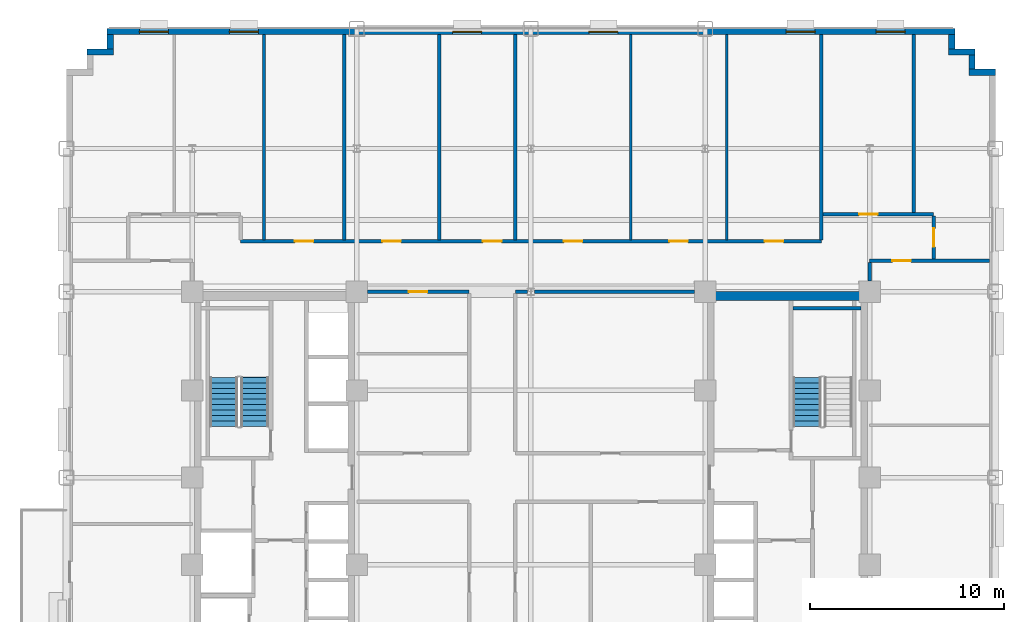
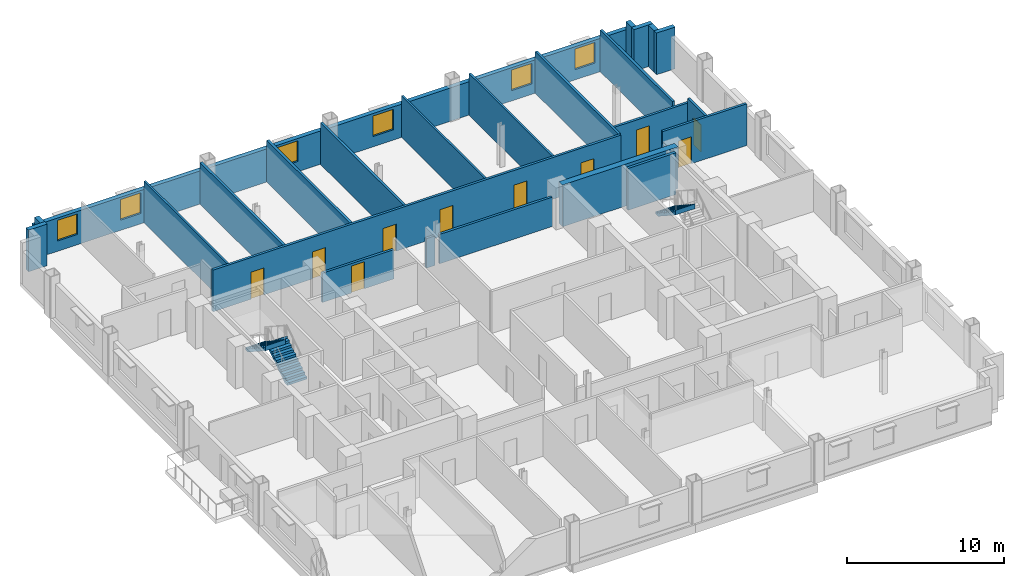
# One storey, part 9 of 14: 25 walls, 10 doors, 6 windows, 3 stair flights, 16 openings, 2 elements without a shape of their own.
"""IFC4 building model written with IfcOpenShell, lengths in metres."""

from ifc_helpers import new_model, si_unit, direction, frame, frame_2d, origin, place, context, subcontext, project, spatial, polyline, rectangle, outline, extrude, source, transform, mapped, material, layer, layer_set, type_object, type_shapes, element, fill, aggregate, save


model = new_model("IFC4")

# Units and contexts
model_context = context("Model", 3, precision=1e-05, world=origin(), true_north=direction((0.0, 1.0)))
body_context = subcontext(model_context, "Body", "Model", "MODEL_VIEW")
ifc_project = project(units=[si_unit("LENGTHUNIT", "METRE"), si_unit("AREAUNIT", "SQUARE_METRE"), si_unit("VOLUMEUNIT", "CUBIC_METRE"), si_unit("PLANEANGLEUNIT", "RADIAN"), si_unit("MASSUNIT", "GRAM", prefix="KILO")], contexts=[model_context])

# Site, building, storey
site_placement = place(None, origin())
site = spatial("IfcSite", under=ifc_project, at=site_placement, CompositionType="ELEMENT")
building_placement = place(site_placement, origin())
building = spatial("IfcBuilding", under=site, at=building_placement, Name="Nuvemarco Arch Tower", CompositionType="ELEMENT")
storey_placement = place(building_placement, frame((0.0, 0.0, 89.64990234375)))
storey = spatial("IfcBuildingStorey", under=building, at=storey_placement, Name="L23", CompositionType="ELEMENT", Elevation=89.64990234375)

# Walls
ifc_material_1 = material(Name="Precast concrete C45/55", Category="concrete")
ifc_layer_1 = layer(ifc_material_1, 0.320068359375, Name="EW-MID-320")
ifc_layer_set_1 = layer_set([ifc_layer_1], Name="Precast concrete C45/55")
wall_type_1 = type_object("IfcWallType", Name="EW-MID-320", PredefinedType="STANDARD", material=ifc_layer_set_1)
wall_1_placement = place(storey_placement, frame((22.6298828125, 20.93994140625, 0.0), z_axis=(0.0, 0.0, 1.0), x_axis=(1.0, 0.0, 0.0)))
element("IfcWall", 1, at=wall_1_placement, inside=storey, type_object=wall_type_1, Name="L23 exterior precast facade wall 7", PredefinedType="STANDARD", context=body_context, shape_type="SweptSolid", body=[
    extrude(rectangle(XDim=1.3701171875, YDim=0.320068359375, at=frame_2d((0.68505859375, 0.0))), origin(), (0.0, 0.0, 1.0), 3.239990234375),
])
wall_2_placement = place(storey_placement, frame((22.7900390625, 21.095947265625, 0.0), z_axis=(0.0, 0.0, 1.0), x_axis=(0.0, 1.0, 0.0)))
element("IfcWall", 2, at=wall_2_placement, inside=storey, type_object=wall_type_1, Name="L23 exterior precast facade wall 8", PredefinedType="STANDARD", context=body_context, shape_type="SweptSolid", body=[
    extrude(rectangle(XDim=0.738037109375, YDim=0.320068359375, at=frame_2d((0.369140625, 0.0))), origin(), (0.0, 0.0, 1.0), 3.239990234375),
])
wall_3_placement = place(storey_placement, frame((21.580078125, 21.989990234375, 0.0), z_axis=(0.0, 0.0, 1.0), x_axis=(1.0, 0.0, 0.0)))
element("IfcWall", 3, at=wall_3_placement, inside=storey, type_object=wall_type_1, Name="L23 exterior precast facade wall 9", PredefinedType="STANDARD", context=body_context, shape_type="SweptSolid", body=[
    extrude(rectangle(XDim=1.369873046875, YDim=0.320068359375, at=frame_2d((0.68505859375, 0.0))), origin(), (0.0, 0.0, 1.0), 3.239990234375),
])
wall_4_placement = place(storey_placement, frame((21.739990234375, 22.14599609375, 0.0), z_axis=(0.0, 0.0, 1.0), x_axis=(0.0, 1.0, 0.0)))
element("IfcWall", 4, at=wall_4_placement, inside=storey, type_object=wall_type_1, Name="L23 exterior precast facade wall 10", PredefinedType="STANDARD", context=body_context, shape_type="SweptSolid", body=[
    extrude(rectangle(XDim=0.738037109375, YDim=0.320068359375, at=frame_2d((0.369140625, 0.0))), origin(), (0.0, 0.0, 1.0), 3.239990234375),
])

# Wall, openings, windows
wall_5_placement = place(storey_placement, frame((-21.89990234375, 23.0400390625, 0.0), z_axis=(0.0, 0.0, 1.0), x_axis=(1.0, 0.0, 0.0)))
wall_5 = element("IfcWall", 5, at=wall_5_placement, inside=storey, type_object=wall_type_1, Name="L23 exterior precast facade wall 11", PredefinedType="STANDARD", context=body_context, shape_type="SweptSolid", body=[
    extrude(rectangle(XDim=43.7998046875, YDim=0.320068359375, at=frame_2d((21.89990234375, 0.0))), origin(), (0.0, 0.0, 1.0), 2.585205078125),
])
opening_1_placement = place(wall_5_placement, frame((1.672119140625, 0.0, 0.800048828125)))
opening_1 = element("IfcOpeningElement", 6, at=opening_1_placement, cuts=wall_5, Name="Opening WN-11", PredefinedType="OPENING", context=body_context, shape_type="SweptSolid", body=[
    extrude(rectangle(XDim=1.5, YDim=1.60009765625, at=frame_2d((0.75, 0.800048828125))), frame((0.0, 0.169921875, 0.0), z_axis=(0.0, -1.0, 0.0), x_axis=(1.0, 0.0, 0.0)), (0.0, 0.0, 1.0), 0.340087890625),
])
opening_2_placement = place(wall_5_placement, frame((6.316650390625, 0.0, 0.800048828125)))
opening_2 = element("IfcOpeningElement", 7, at=opening_2_placement, cuts=wall_5, Name="Opening WN-11", PredefinedType="OPENING", context=body_context, shape_type="SweptSolid", body=[
    extrude(rectangle(XDim=1.5, YDim=1.60009765625, at=frame_2d((0.75, 0.800048828125))), frame((0.0, 0.169921875, 0.0), z_axis=(0.0, -1.0, 0.0), x_axis=(1.0, 0.0, 0.0)), (0.0, 0.0, 1.0), 0.340087890625),
])
opening_3_placement = place(wall_5_placement, frame((17.855712890625, 0.0, 0.800048828125)))
opening_3 = element("IfcOpeningElement", 8, at=opening_3_placement, cuts=wall_5, Name="Opening WN-11", PredefinedType="OPENING", context=body_context, shape_type="SweptSolid", body=[
    extrude(rectangle(XDim=1.5, YDim=1.60009765625, at=frame_2d((0.75, 0.800048828125))), frame((0.0, 0.169921875, 0.0), z_axis=(0.0, -1.0, 0.0), x_axis=(1.0, 0.0, 0.0)), (0.0, 0.0, 1.0), 0.340087890625),
])
opening_4_placement = place(wall_5_placement, frame((24.894287109375, 0.0, 0.800048828125)))
opening_4 = element("IfcOpeningElement", 9, at=opening_4_placement, cuts=wall_5, Name="Opening WN-11", PredefinedType="OPENING", context=body_context, shape_type="SweptSolid", body=[
    extrude(rectangle(XDim=1.5, YDim=1.60009765625, at=frame_2d((0.75, 0.800048828125))), frame((0.0, 0.169921875, 0.0), z_axis=(0.0, -1.0, 0.0), x_axis=(1.0, 0.0, 0.0)), (0.0, 0.0, 1.0), 0.340087890625),
])
opening_5_placement = place(wall_5_placement, frame((35.083251953125, 0.0, 0.800048828125)))
opening_5 = element("IfcOpeningElement", 10, at=opening_5_placement, cuts=wall_5, Name="Opening WN-11", PredefinedType="OPENING", context=body_context, shape_type="SweptSolid", body=[
    extrude(rectangle(XDim=1.5, YDim=1.60009765625, at=frame_2d((0.75, 0.800048828125))), frame((0.0, 0.169921875, 0.0), z_axis=(0.0, -1.0, 0.0), x_axis=(1.0, 0.0, 0.0)), (0.0, 0.0, 1.0), 0.340087890625),
])
opening_6_placement = place(wall_5_placement, frame((39.727783203125, 0.0, 0.800048828125)))
opening_6 = element("IfcOpeningElement", 11, at=opening_6_placement, cuts=wall_5, Name="Opening WN-11", PredefinedType="OPENING", context=body_context, shape_type="SweptSolid", body=[
    extrude(rectangle(XDim=1.5, YDim=1.60009765625, at=frame_2d((0.75, 0.800048828125))), frame((0.0, 0.169921875, 0.0), z_axis=(0.0, -1.0, 0.0), x_axis=(1.0, 0.0, 0.0)), (0.0, 0.0, 1.0), 0.340087890625),
])
ifc_material_2 = material(Name="Insulated solar-control glass", Category="glass")
window_type = type_object("IfcWindowType", Name="WN-STEP-1500x1850", PartitioningType="SINGLE_PANEL", PredefinedType="WINDOW", material=ifc_material_2)
shared_shape_1 = source(origin(), body_context, "Body", "SweptSolid", [
    extrude(rectangle(XDim=1.5, YDim=1.60009765625, at=frame_2d((0.75, 0.800048828125))), frame((0.0, 0.030029296875, 0.0), z_axis=(0.0, -1.0, 0.0), x_axis=(1.0, 0.0, 0.0)), (0.0, 0.0, 1.0), 0.06005859375),
])
type_shapes(window_type, [shared_shape_1])
window_1_placement = place(opening_1_placement, origin())
window_1 = element("IfcWindow", 12, at=window_1_placement, inside=storey, type_object=window_type, Name="L23 punched facade window 1", OverallHeight=1.60009765625, OverallWidth=1.5, PartitioningType="SINGLE_PANEL", PredefinedType="WINDOW", context=body_context, shape_type="MappedRepresentation", body=[
    mapped(shared_shape_1, transform((0.0, 0.0, 0.0), scale=1.0)),
])
fill(opening_1, window_1)
window_2_placement = place(opening_2_placement, origin())
window_2 = element("IfcWindow", 13, at=window_2_placement, inside=storey, type_object=window_type, Name="L23 punched facade window 2", OverallHeight=1.60009765625, OverallWidth=1.5, PartitioningType="SINGLE_PANEL", PredefinedType="WINDOW", context=body_context, shape_type="MappedRepresentation", body=[
    mapped(shared_shape_1, transform((0.0, 0.0, 0.0), scale=1.0)),
])
fill(opening_2, window_2)
window_3_placement = place(opening_3_placement, origin())
window_3 = element("IfcWindow", 14, at=window_3_placement, inside=storey, type_object=window_type, Name="L23 punched facade window 4", OverallHeight=1.60009765625, OverallWidth=1.5, PartitioningType="SINGLE_PANEL", PredefinedType="WINDOW", context=body_context, shape_type="MappedRepresentation", body=[
    mapped(shared_shape_1, transform((0.0, 0.0, 0.0), scale=1.0)),
])
fill(opening_3, window_3)
window_4_placement = place(opening_4_placement, origin())
window_4 = element("IfcWindow", 15, at=window_4_placement, inside=storey, type_object=window_type, Name="L23 punched facade window 6", OverallHeight=1.60009765625, OverallWidth=1.5, PartitioningType="SINGLE_PANEL", PredefinedType="WINDOW", context=body_context, shape_type="MappedRepresentation", body=[
    mapped(shared_shape_1, transform((0.0, 0.0, 0.0), scale=1.0)),
])
fill(opening_4, window_4)
window_5_placement = place(opening_5_placement, origin())
window_5 = element("IfcWindow", 16, at=window_5_placement, inside=storey, type_object=window_type, Name="L23 punched facade window 8", OverallHeight=1.60009765625, OverallWidth=1.5, PartitioningType="SINGLE_PANEL", PredefinedType="WINDOW", context=body_context, shape_type="MappedRepresentation", body=[
    mapped(shared_shape_1, transform((0.0, 0.0, 0.0), scale=1.0)),
])
fill(opening_5, window_5)
window_6_placement = place(opening_6_placement, origin())
window_6 = element("IfcWindow", 17, at=window_6_placement, inside=storey, type_object=window_type, Name="L23 punched facade window 9", OverallHeight=1.60009765625, OverallWidth=1.5, PartitioningType="SINGLE_PANEL", PredefinedType="WINDOW", context=body_context, shape_type="MappedRepresentation", body=[
    mapped(shared_shape_1, transform((0.0, 0.0, 0.0), scale=1.0)),
])
fill(opening_6, window_6)

# Walls
wall_6_placement = place(storey_placement, frame((-21.739990234375, 22.14599609375, 0.0), z_axis=(0.0, 0.0, 1.0), x_axis=(0.0, 1.0, 0.0)))
element("IfcWall", 18, at=wall_6_placement, inside=storey, type_object=wall_type_1, Name="L23 exterior precast facade wall 12", PredefinedType="STANDARD", context=body_context, shape_type="SweptSolid", body=[
    extrude(rectangle(XDim=0.738037109375, YDim=0.320068359375, at=frame_2d((0.369140625, 0.0))), origin(), (0.0, 0.0, 1.0), 3.239990234375),
])
wall_7_placement = place(storey_placement, frame((-22.949951171875, 21.989990234375, 0.0), z_axis=(0.0, 0.0, 1.0), x_axis=(1.0, 0.0, 0.0)))
element("IfcWall", 19, at=wall_7_placement, inside=storey, type_object=wall_type_1, Name="L23 exterior precast facade wall 13", PredefinedType="STANDARD", context=body_context, shape_type="SweptSolid", body=[
    extrude(rectangle(XDim=1.369873046875, YDim=0.320068359375, at=frame_2d((0.68505859375, 0.0))), origin(), (0.0, 0.0, 1.0), 3.239990234375),
])
ifc_material_3 = material(Name="Concrete C60/75", Category="concrete")
ifc_layer_2 = layer(ifc_material_3, 0.449951171875, Name="WL-CORE-450")
ifc_layer_set_2 = layer_set([ifc_layer_2], Name="Concrete C60/75")
wall_type_2 = type_object("IfcWallType", Name="WL-CORE-450", PredefinedType="SHEAR", material=ifc_layer_set_2)
wall_8_placement = place(storey_placement, frame((9.0, 9.375, 0.0), z_axis=(0.0, 0.0, 1.0), x_axis=(1.0, 0.0, 0.0)))
element("IfcWall", 20, at=wall_8_placement, inside=storey, type_object=wall_type_2, Name="L23 E-core shear wall N", PredefinedType="SHEAR", context=body_context, shape_type="SweptSolid", body=[
    extrude(rectangle(XDim=8.5, YDim=0.449951171875, at=frame_2d((4.25, 0.0))), origin(), (0.0, 0.0, 1.0), 3.25),
])

# Wall, opening, door
ifc_material_4 = material(Name="Fire-rated gypsum drywall partition")
ifc_layer_3 = layer(ifc_material_4, 0.179931640625, Name="WL-CORR-180")
ifc_layer_set_3 = layer_set([ifc_layer_3], Name="Fire-rated gypsum drywall partition")
wall_type_3 = type_object("IfcWallType", Name="WL-CORR-180", PredefinedType="PARTITIONING", material=ifc_layer_set_3)
wall_9_placement = place(storey_placement, frame((-8.4541015625, 9.60009765625, 0.0), z_axis=(0.0, 0.0, 1.0), x_axis=(1.0, 0.0, 0.0)))
wall_9 = element("IfcWall", 21, at=wall_9_placement, inside=storey, type_object=wall_type_3, Name="L23 interior wall IW-L23-018", PredefinedType="PARTITIONING", context=body_context, shape_type="SweptSolid", body=[
    extrude(rectangle(XDim=5.254150390625, YDim=0.179931640625, at=frame_2d((2.626953125, 0.0))), origin(), (0.0, 0.0, 1.0), 2.28515625),
])
opening_7_placement = place(wall_9_placement, frame((2.14697265625, 0.0, 0.0)))
opening_7 = element("IfcOpeningElement", 22, at=opening_7_placement, cuts=wall_9, Name="Opening FD-5", PredefinedType="OPENING", context=body_context, shape_type="SweptSolid", body=[
    extrude(rectangle(XDim=0.9599609375, YDim=2.10009765625, at=frame_2d((0.47998046875, 1.050048828125))), frame((0.0, 0.099853515625, 0.0), z_axis=(0.0, -1.0, 0.0), x_axis=(1.0, 0.0, 0.0)), (0.0, 0.0, 1.0), 0.199951171875),
])
ifc_material_5 = material(Name="Timber fire door", Category="wood")
door_type = type_object("IfcDoorType", Name="DR-CORR-FD", OperationType="NOTDEFINED", PredefinedType="DOOR", material=ifc_material_5)
shared_shape_2 = source(origin(), body_context, "Body", "SweptSolid", [
    extrude(rectangle(XDim=0.9599609375, YDim=2.10009765625, at=frame_2d((0.47998046875, 1.050048828125))), frame((0.0, 0.02490234375, 0.0), z_axis=(0.0, -1.0, 0.0), x_axis=(1.0, 0.0, 0.0)), (0.0, 0.0, 1.0), 0.050048828125),
])
type_shapes(door_type, [shared_shape_2])
door_1_placement = place(opening_7_placement, origin())
door_1 = element("IfcDoor", 23, at=door_1_placement, inside=storey, type_object=door_type, Name="L23 door DR-L23-C_NW2", OperationType="SINGLE_SWING_LEFT", OverallHeight=2.10009765625, OverallWidth=0.9599609375, PredefinedType="DOOR", context=body_context, shape_type="MappedRepresentation", body=[
    mapped(shared_shape_2, transform((0.0, 0.0, 0.0), scale=1.0)),
])
fill(opening_7, door_1)

# Walls
wall_10_placement = place(storey_placement, frame((-0.800048828125, 9.60009765625, 0.0), z_axis=(0.0, 0.0, 1.0), x_axis=(1.0, 0.0, 0.0)))
element("IfcWall", 24, at=wall_10_placement, inside=storey, type_object=wall_type_3, Name="L23 interior wall IW-L23-019", PredefinedType="PARTITIONING", context=body_context, shape_type="SweptSolid", body=[
    extrude(rectangle(XDim=0.6240234375, YDim=0.179931640625, at=frame_2d((0.31201171875, 0.0))), origin(), (0.0, 0.0, 1.0), 2.28515625),
])
wall_11_placement = place(storey_placement, frame((0.176025390625, 9.60009765625, 0.0), z_axis=(0.0, 0.0, 1.0), x_axis=(1.0, 0.0, 0.0)))
element("IfcWall", 25, at=wall_11_placement, inside=storey, type_object=wall_type_3, Name="L23 interior wall IW-L23-020", PredefinedType="PARTITIONING", context=body_context, shape_type="SweptSolid", body=[
    extrude(rectangle(XDim=8.278076171875, YDim=0.179931640625, at=frame_2d((4.13916015625, 0.0))), origin(), (0.0, 0.0, 1.0), 2.28515625),
])

# Wall, opening, door
wall_12_placement = place(storey_placement, frame((17.5, 11.199951171875, 0.0), z_axis=(0.0, 0.0, 1.0), x_axis=(1.0, 0.0, 0.0)))
wall_12 = element("IfcWall", 26, at=wall_12_placement, inside=storey, type_object=wall_type_3, Name="L23 interior wall IW-L23-022", PredefinedType="PARTITIONING", context=body_context, shape_type="SweptSolid", body=[
    extrude(rectangle(XDim=6.179931640625, YDim=0.179931640625, at=frame_2d((3.08984375, 0.0))), origin(), (0.0, 0.0, 1.0), 3.239990234375),
])
opening_8_placement = place(wall_12_placement, frame((1.169921875, 0.0, 0.0)))
opening_8 = element("IfcOpeningElement", 27, at=opening_8_placement, cuts=wall_12, Name="Opening FD-5", PredefinedType="OPENING", context=body_context, shape_type="SweptSolid", body=[
    extrude(rectangle(XDim=0.9599609375, YDim=2.10009765625, at=frame_2d((0.47998046875, 1.050048828125))), frame((0.0, 0.099853515625, 0.0), z_axis=(0.0, -1.0, 0.0), x_axis=(1.0, 0.0, 0.0)), (0.0, 0.0, 1.0), 0.199951171875),
])
door_2_placement = place(opening_8_placement, origin())
door_2 = element("IfcDoor", 28, at=door_2_placement, inside=storey, type_object=door_type, Name="L23 door DR-L23-E_2", OperationType="SINGLE_SWING_RIGHT", OverallHeight=2.10009765625, OverallWidth=0.9599609375, PredefinedType="DOOR", context=body_context, shape_type="MappedRepresentation", body=[
    mapped(shared_shape_2, transform((0.0, 0.0, 0.0), scale=1.0)),
])
fill(opening_8, door_2)

# Wall, openings, doors
wall_13_placement = place(storey_placement, frame((-15.0, 12.199951171875, 0.0), z_axis=(0.0, 0.0, 1.0), x_axis=(1.0, 0.0, 0.0)))
wall_13 = element("IfcWall", 29, at=wall_13_placement, inside=storey, type_object=wall_type_3, Name="L23 interior wall IW-L23-023", PredefinedType="PARTITIONING", context=body_context, shape_type="SweptSolid", body=[
    extrude(rectangle(XDim=30.0, YDim=0.179931640625, at=frame_2d((15.0, 0.0))), origin(), (0.0, 0.0, 1.0), 3.239990234375),
])
opening_9_placement = place(wall_13_placement, frame((16.695068359375, 0.0, 0.0)))
opening_9 = element("IfcOpeningElement", 30, at=opening_9_placement, cuts=wall_13, Name="Opening FD-5", PredefinedType="OPENING", context=body_context, shape_type="SweptSolid", body=[
    extrude(rectangle(XDim=0.9599609375, YDim=2.10009765625, at=frame_2d((0.47998046875, 1.050048828125))), frame((0.0, 0.099853515625, 0.0), z_axis=(0.0, -1.0, 0.0), x_axis=(1.0, 0.0, 0.0)), (0.0, 0.0, 1.0), 0.199951171875),
])
opening_10_placement = place(wall_13_placement, frame((22.14990234375, 0.0, 0.0)))
opening_10 = element("IfcOpeningElement", 31, at=opening_10_placement, cuts=wall_13, Name="Opening FD-5", PredefinedType="OPENING", context=body_context, shape_type="SweptSolid", body=[
    extrude(rectangle(XDim=0.9599609375, YDim=2.10009765625, at=frame_2d((0.47998046875, 1.050048828125))), frame((0.0, 0.099853515625, 0.0), z_axis=(0.0, -1.0, 0.0), x_axis=(1.0, 0.0, 0.0)), (0.0, 0.0, 1.0), 0.199951171875),
])
opening_11_placement = place(wall_13_placement, frame((7.324951171875, 0.0, 0.0)))
opening_11 = element("IfcOpeningElement", 32, at=opening_11_placement, cuts=wall_13, Name="Opening FD-5", PredefinedType="OPENING", context=body_context, shape_type="SweptSolid", body=[
    extrude(rectangle(XDim=0.9599609375, YDim=2.10009765625, at=frame_2d((0.47998046875, 1.050048828125))), frame((0.0, 0.099853515625, 0.0), z_axis=(0.0, -1.0, 0.0), x_axis=(1.0, 0.0, 0.0)), (0.0, 0.0, 1.0), 0.199951171875),
])
opening_12_placement = place(wall_13_placement, frame((27.074951171875, 0.0, 0.0)))
opening_12 = element("IfcOpeningElement", 33, at=opening_12_placement, cuts=wall_13, Name="Opening FD-5", PredefinedType="OPENING", context=body_context, shape_type="SweptSolid", body=[
    extrude(rectangle(XDim=0.9599609375, YDim=2.10009765625, at=frame_2d((0.47998046875, 1.050048828125))), frame((0.0, 0.099853515625, 0.0), z_axis=(0.0, -1.0, 0.0), x_axis=(1.0, 0.0, 0.0)), (0.0, 0.0, 1.0), 0.199951171875),
])
opening_13_placement = place(wall_13_placement, frame((2.800048828125, 0.0, 0.0)))
opening_13 = element("IfcOpeningElement", 34, at=opening_13_placement, cuts=wall_13, Name="Opening FD-5", PredefinedType="OPENING", context=body_context, shape_type="SweptSolid", body=[
    extrude(rectangle(XDim=0.9599609375, YDim=2.10009765625, at=frame_2d((0.47998046875, 1.050048828125))), frame((0.0, 0.099853515625, 0.0), z_axis=(0.0, -1.0, 0.0), x_axis=(1.0, 0.0, 0.0)), (0.0, 0.0, 1.0), 0.199951171875),
])
opening_14_placement = place(wall_13_placement, frame((12.52001953125, 0.0, 0.0)))
opening_14 = element("IfcOpeningElement", 35, at=opening_14_placement, cuts=wall_13, Name="Opening FD-5", PredefinedType="OPENING", context=body_context, shape_type="SweptSolid", body=[
    extrude(rectangle(XDim=0.9599609375, YDim=2.10009765625, at=frame_2d((0.47998046875, 1.050048828125))), frame((0.0, 0.099853515625, 0.0), z_axis=(0.0, -1.0, 0.0), x_axis=(1.0, 0.0, 0.0)), (0.0, 0.0, 1.0), 0.199951171875),
])
door_3_placement = place(opening_9_placement, origin())
door_3 = element("IfcDoor", 36, at=door_3_placement, inside=storey, type_object=door_type, Name="L23 door DR-L23-N_6", OperationType="SINGLE_SWING_RIGHT", OverallHeight=2.10009765625, OverallWidth=0.9599609375, PredefinedType="DOOR", context=body_context, shape_type="MappedRepresentation", body=[
    mapped(shared_shape_2, transform((0.0, 0.0, 0.0), scale=1.0)),
])
fill(opening_9, door_3)
door_4_placement = place(opening_10_placement, origin())
door_4 = element("IfcDoor", 37, at=door_4_placement, inside=storey, type_object=door_type, Name="L23 door DR-L23-N_7", OperationType="SINGLE_SWING_RIGHT", OverallHeight=2.10009765625, OverallWidth=0.9599609375, PredefinedType="DOOR", context=body_context, shape_type="MappedRepresentation", body=[
    mapped(shared_shape_2, transform((0.0, 0.0, 0.0), scale=1.0)),
])
fill(opening_10, door_4)
door_5_placement = place(opening_11_placement, origin())
door_5 = element("IfcDoor", 38, at=door_5_placement, inside=storey, type_object=door_type, Name="L23 door DR-L23-N_4", OperationType="SINGLE_SWING_LEFT", OverallHeight=2.10009765625, OverallWidth=0.9599609375, PredefinedType="DOOR", context=body_context, shape_type="MappedRepresentation", body=[
    mapped(shared_shape_2, transform((0.0, 0.0, 0.0), scale=1.0)),
])
fill(opening_11, door_5)
door_6_placement = place(opening_12_placement, origin())
door_6 = element("IfcDoor", 39, at=door_6_placement, inside=storey, type_object=door_type, Name="L23 door DR-L23-N_8", OperationType="SINGLE_SWING_LEFT", OverallHeight=2.10009765625, OverallWidth=0.9599609375, PredefinedType="DOOR", context=body_context, shape_type="MappedRepresentation", body=[
    mapped(shared_shape_2, transform((0.0, 0.0, 0.0), scale=1.0)),
])
fill(opening_12, door_6)
door_7_placement = place(opening_13_placement, origin())
door_7 = element("IfcDoor", 40, at=door_7_placement, inside=storey, type_object=door_type, Name="L23 door DR-L23-N_3", OperationType="SINGLE_SWING_LEFT", OverallHeight=2.10009765625, OverallWidth=0.9599609375, PredefinedType="DOOR", context=body_context, shape_type="MappedRepresentation", body=[
    mapped(shared_shape_2, transform((0.0, 0.0, 0.0), scale=1.0)),
])
fill(opening_13, door_7)
door_8_placement = place(opening_14_placement, origin())
door_8 = element("IfcDoor", 41, at=door_8_placement, inside=storey, type_object=door_type, Name="L23 door DR-L23-N_5", OperationType="SINGLE_SWING_RIGHT", OverallHeight=2.10009765625, OverallWidth=0.9599609375, PredefinedType="DOOR", context=body_context, shape_type="MappedRepresentation", body=[
    mapped(shared_shape_2, transform((0.0, 0.0, 0.0), scale=1.0)),
])
fill(opening_14, door_8)

# Wall, opening, door
wall_14_placement = place(storey_placement, frame((15.0859375, 13.60009765625, 0.0), z_axis=(0.0, 0.0, 1.0), x_axis=(1.0, 0.0, 0.0)))
wall_14 = element("IfcWall", 42, at=wall_14_placement, inside=storey, type_object=wall_type_3, Name="L23 interior wall IW-L23-025", PredefinedType="PARTITIONING", context=body_context, shape_type="SweptSolid", body=[
    extrude(rectangle(XDim=5.714111328125, YDim=0.179931640625, at=frame_2d((2.85693359375, 0.0))), origin(), (0.0, 0.0, 1.0), 2.878173828125),
])
opening_15_placement = place(wall_14_placement, frame((1.866943359375, 0.0, 0.0)))
opening_15 = element("IfcOpeningElement", 43, at=opening_15_placement, cuts=wall_14, Name="Opening FD-5", PredefinedType="OPENING", context=body_context, shape_type="SweptSolid", body=[
    extrude(rectangle(XDim=0.9599609375, YDim=2.10009765625, at=frame_2d((0.47998046875, 1.050048828125))), frame((0.0, 0.099853515625, 0.0), z_axis=(0.0, -1.0, 0.0), x_axis=(1.0, 0.0, 0.0)), (0.0, 0.0, 1.0), 0.199951171875),
])
door_9_placement = place(opening_15_placement, origin())
door_9 = element("IfcDoor", 44, at=door_9_placement, inside=storey, type_object=door_type, Name="L23 door DR-L23-N_9", OperationType="SINGLE_SWING_RIGHT", OverallHeight=2.10009765625, OverallWidth=0.9599609375, PredefinedType="DOOR", context=body_context, shape_type="MappedRepresentation", body=[
    mapped(shared_shape_2, transform((0.0, 0.0, 0.0), scale=1.0)),
])
fill(opening_15, door_9)

# Walls
for number, where, z_axis, x_axis, name in (
    (45, (-9.64990234375, 12.285888671875, 0.0), (0.0, 0.0, 1.0), (0.0, 1.0, 0.0), "L23 interior wall IW-L23-037"),
    (46, (-4.739990234375, 12.285888671875, 0.0), (0.0, 0.0, 1.0), (0.0, 1.0, 0.0), "L23 interior wall IW-L23-039"),
    (47, (-0.800048828125, 12.285888671875, 0.0), (0.0, 0.0, 1.0), (0.0, 1.0, 0.0), "L23 interior wall IW-L23-045"),
    (48, (15.0, 12.285888671875, 0.0), (0.0, 0.0, 1.0), (0.0, 1.0, 0.0), "L23 interior wall IW-L23-055"),
):
    element("IfcWall", number, at=place(storey_placement, frame(where, z_axis=z_axis, x_axis=x_axis)), inside=storey, type_object=wall_type_3, Name=name, PredefinedType="PARTITIONING", context=body_context, shape_type="SweptSolid", body=[
        extrude(rectangle(XDim=10.593994140625, YDim=0.179931640625, at=frame_2d((5.296875, 0.0))), origin(), (0.0, 0.0, 1.0), 3.239990234375),
    ])
wall_15_placement = place(storey_placement, frame((17.5, 10.14599609375, 0.0), z_axis=(0.0, 0.0, 1.0), x_axis=(0.0, 1.0, 0.0)))
element("IfcWall", 49, at=wall_15_placement, inside=storey, type_object=wall_type_3, Name="L23 interior wall IW-L23-057", PredefinedType="PARTITIONING", context=body_context, shape_type="SweptSolid", body=[
    extrude(rectangle(XDim=0.968017578125, YDim=0.179931640625, at=frame_2d((0.48388671875, 0.0))), origin(), (0.0, 0.0, 1.0), 2.335205078125),
])
wall_16_placement = place(storey_placement, frame((19.780029296875, 13.68603515625, 0.0), z_axis=(0.0, 0.0, 1.0), x_axis=(0.0, 1.0, 0.0)))
element("IfcWall", 50, at=wall_16_placement, inside=storey, type_object=wall_type_3, Name="L23 interior wall IW-L23-058", PredefinedType="PARTITIONING", context=body_context, shape_type="SweptSolid", body=[
    extrude(rectangle(XDim=9.19384765625, YDim=0.179931640625, at=frame_2d((4.596923828125, 0.0))), origin(), (0.0, 0.0, 1.0), 3.239990234375),
])

# Wall, opening, door
wall_17_placement = place(storey_placement, frame((20.800048828125, 11.285888671875, 0.0), z_axis=(0.0, 0.0, 1.0), x_axis=(0.0, 1.0, 0.0)))
wall_17 = element("IfcWall", 51, at=wall_17_placement, inside=storey, type_object=wall_type_3, Name="L23 interior wall IW-L23-060", PredefinedType="PARTITIONING", context=body_context, shape_type="SweptSolid", body=[
    extrude(rectangle(XDim=2.22802734375, YDim=0.179931640625, at=frame_2d((1.114013671875, 0.0))), origin(), (0.0, 0.0, 1.0), 3.239990234375),
])
opening_16_placement = place(wall_17_placement, frame((0.634033203125, 0.0, 0.0)))
opening_16 = element("IfcOpeningElement", 52, at=opening_16_placement, cuts=wall_17, Name="Opening FD-5", PredefinedType="OPENING", context=body_context, shape_type="SweptSolid", body=[
    extrude(rectangle(XDim=0.9599609375, YDim=2.10009765625, at=frame_2d((0.47998046875, 1.050048828125))), frame((0.0, 0.099853515625, 0.0), z_axis=(0.0, -1.0, 0.0), x_axis=(1.0, 0.0, 0.0)), (0.0, 0.0, 1.0), 0.199951171875),
])
door_10_placement = place(opening_16_placement, origin())
door_10 = element("IfcDoor", 53, at=door_10_placement, inside=storey, type_object=door_type, Name="L23 door DR-L23-N_10", OperationType="SINGLE_SWING_RIGHT", OverallHeight=2.10009765625, OverallWidth=0.9599609375, PredefinedType="DOOR", context=body_context, shape_type="MappedRepresentation", body=[
    mapped(shared_shape_2, transform((0.0, 0.0, 0.0), scale=1.0)),
])
fill(opening_16, door_10)

# Walls
ifc_material_6 = material(Name="Gypsum plasterboard partition")
ifc_layer_4 = layer(ifc_material_6, 0.139892578125, Name="WL-ROOM-140")
ifc_layer_set_4 = layer_set([ifc_layer_4], Name="Gypsum plasterboard partition")
wall_type_4 = type_object("IfcWallType", Name="WL-ROOM-140", PredefinedType="PARTITIONING", material=ifc_layer_set_4)
for number, where, z_axis, x_axis, name in (
    (54, (-13.7900390625, 12.285888671875, 0.0), (0.0, 0.0, 1.0), (0.0, 1.0, 0.0), "L23 interior wall IW-L23-035"),
    (55, (5.14990234375, 12.285888671875, 0.0), (0.0, 0.0, 1.0), (0.0, 1.0, 0.0), "L23 interior wall IW-L23-049"),
    (56, (10.110107421875, 12.285888671875, 0.0), (0.0, 0.0, 1.0), (0.0, 1.0, 0.0), "L23 interior wall IW-L23-053"),
):
    element("IfcWall", number, at=place(storey_placement, frame(where, z_axis=z_axis, x_axis=x_axis)), inside=storey, type_object=wall_type_4, Name=name, PredefinedType="PARTITIONING", context=body_context, shape_type="SweptSolid", body=[
        extrude(rectangle(XDim=10.593994140625, YDim=0.139892578125, at=frame_2d((5.296875, 0.0))), origin(), (0.0, 0.0, 1.0), 3.239990234375),
    ])
ifc_material_7 = material(Name="Concrete C50/60", Category="concrete")
ifc_layer_5 = layer(ifc_material_7, 0.199951171875, Name="WL-SHAFT-220")
ifc_layer_set_5 = layer_set([ifc_layer_5], Name="Concrete C50/60")
wall_type_5 = type_object("IfcWallType", Name="WL-SHAFT-220", PredefinedType="SHEAR", material=ifc_layer_set_5)
wall_18_placement = place(storey_placement, frame((13.534912109375, 8.75, 0.0), z_axis=(0.0, 0.0, 1.0), x_axis=(1.0, 0.0, 0.0)))
element("IfcWall", 57, at=wall_18_placement, inside=storey, type_object=wall_type_5, Name="L23 structural shaft wall SW-L23-E-ST2N", PredefinedType="SHEAR", context=body_context, shape_type="SweptSolid", body=[
    extrude(rectangle(XDim=3.52001953125, YDim=0.199951171875, at=frame_2d((1.760009765625, 0.0))), origin(), (0.0, 0.0, 1.0), 3.25),
])

# Stair, stair flights
stair_type = type_object("IfcStairType", Name="ST-CORE-20R", PredefinedType="HALF_TURN_STAIR", material=ifc_material_1)
stair_1_placement = place(storey_placement, origin())
stair_1 = element("IfcStair", 58, at=stair_1_placement, inside=storey, type_object=stair_type, Name="L23 Protected Exit Stair ST-1", PredefinedType="HALF_TURN_STAIR")
stair_flight_type = type_object("IfcStairFlightType", Name="SF-CORE-20R", PredefinedType="STRAIGHT", material=ifc_material_1)
stair_flight_1_placement = place(storey_placement, frame((-14.264892578125, 2.64990234375, 0.0), z_axis=(0.0, 0.0, 1.0), x_axis=(0.0, 1.0, 0.0)))
stair_flight_1 = element("IfcStairFlight", 59, at=stair_flight_1_placement, type_object=stair_flight_type, Name="ST-20R flight 1", NumberOfRisers=10, NumberOfTreads=9, PredefinedType="STRAIGHT", RiserHeight=0.1825, TreadLength=0.28, context=body_context, shape_type="SweptSolid", body=[
    extrude(outline(polyline([(0.0, 0.0), (0.0, 0.1826171875), (0.280029296875, 0.1826171875), (0.280029296875, 0.364990234375), (0.56005859375, 0.364990234375), (0.56005859375, 0.547607421875), (0.840087890625, 0.547607421875), (0.840087890625, 0.72998046875), (1.1201171875, 0.72998046875), (1.1201171875, 0.91259765625), (1.39990234375, 0.91259765625), (1.39990234375, 1.094970703125), (1.679931640625, 1.094970703125), (1.679931640625, 1.277587890625), (1.9599609375, 1.277587890625), (1.9599609375, 1.4599609375), (2.239990234375, 1.4599609375), (2.239990234375, 1.642578125), (2.52001953125, 1.642578125), (2.52001953125, 1.824951171875), (2.5400390625, 1.824951171875), (2.5400390625, 1.45166015625), (0.312744140625, 0.0), (0.0, 0.0)])), frame((0.0, 0.72509765625, 0.0), z_axis=(0.0, -1.0, 0.0), x_axis=(1.0, 0.0, 0.0)), (0.0, 0.0, 1.0), 1.449951171875),
])
stair_flight_2_placement = place(storey_placement, frame((-15.875, 5.169921875, 1.8251953125), z_axis=(0.0, 0.0, 1.0), x_axis=(0.0, -1.0, 0.0)))
stair_flight_2 = element("IfcStairFlight", 60, at=stair_flight_2_placement, type_object=stair_flight_type, Name="ST-20R flight 2", NumberOfRisers=10, NumberOfTreads=9, PredefinedType="STRAIGHT", RiserHeight=0.1825, TreadLength=0.28, context=body_context, shape_type="SweptSolid", body=[
    extrude(outline(polyline([(0.0, 0.0), (0.0, 0.1826171875), (0.280029296875, 0.1826171875), (0.280029296875, 0.364990234375), (0.56005859375, 0.364990234375), (0.56005859375, 0.547607421875), (0.840087890625, 0.547607421875), (0.840087890625, 0.72998046875), (1.1201171875, 0.72998046875), (1.1201171875, 0.91259765625), (1.39990234375, 0.91259765625), (1.39990234375, 1.094970703125), (1.679931640625, 1.094970703125), (1.679931640625, 1.277587890625), (1.9599609375, 1.277587890625), (1.9599609375, 1.4599609375), (2.239990234375, 1.4599609375), (2.239990234375, 1.642578125), (2.52001953125, 1.642578125), (2.52001953125, 1.824951171875), (2.5400390625, 1.824951171875), (2.5400390625, 1.45166015625), (0.312744140625, 0.0), (0.0, 0.0)])), frame((0.0, 0.72509765625, 0.0), z_axis=(0.0, -1.0, 0.0), x_axis=(1.0, 0.0, 0.0)), (0.0, 0.0, 1.0), 1.449951171875),
])
aggregate(stair_1, [stair_flight_1, stair_flight_2])

# Stair, stair flight
stair_2_placement = place(storey_placement, origin())
stair_2 = element("IfcStair", 61, at=stair_2_placement, inside=storey, type_object=stair_type, Name="L23 Protected Exit Stair ST-2", PredefinedType="HALF_TURN_STAIR")
stair_flight_3_placement = place(storey_placement, frame((14.264892578125, 5.169921875, 1.8251953125), z_axis=(0.0, 0.0, 1.0), x_axis=(0.0, -1.0, 0.0)))
stair_flight_3 = element("IfcStairFlight", 62, at=stair_flight_3_placement, type_object=stair_flight_type, Name="ST-20R flight 2", NumberOfRisers=10, NumberOfTreads=9, PredefinedType="STRAIGHT", RiserHeight=0.1825, TreadLength=0.28, context=body_context, shape_type="SweptSolid", body=[
    extrude(outline(polyline([(0.0, 0.0), (0.0, 0.1826171875), (0.280029296875, 0.1826171875), (0.280029296875, 0.364990234375), (0.56005859375, 0.364990234375), (0.56005859375, 0.547607421875), (0.840087890625, 0.547607421875), (0.840087890625, 0.72998046875), (1.1201171875, 0.72998046875), (1.1201171875, 0.91259765625), (1.39990234375, 0.91259765625), (1.39990234375, 1.094970703125), (1.679931640625, 1.094970703125), (1.679931640625, 1.277587890625), (1.9599609375, 1.277587890625), (1.9599609375, 1.4599609375), (2.239990234375, 1.4599609375), (2.239990234375, 1.642578125), (2.52001953125, 1.642578125), (2.52001953125, 1.824951171875), (2.5400390625, 1.824951171875), (2.5400390625, 1.45166015625), (0.312744140625, 0.0), (0.0, 0.0)])), frame((0.0, 0.72509765625, 0.0), z_axis=(0.0, -1.0, 0.0), x_axis=(1.0, 0.0, 0.0)), (0.0, 0.0, 1.0), 1.449951171875),
])
aggregate(stair_2, [stair_flight_3])

save(model, "model.ifc")
